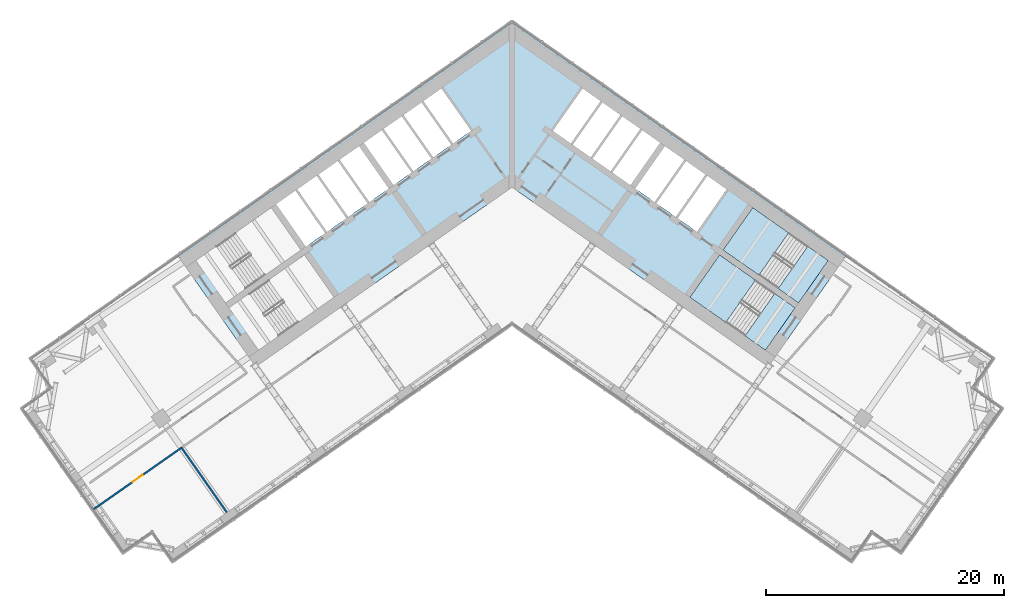
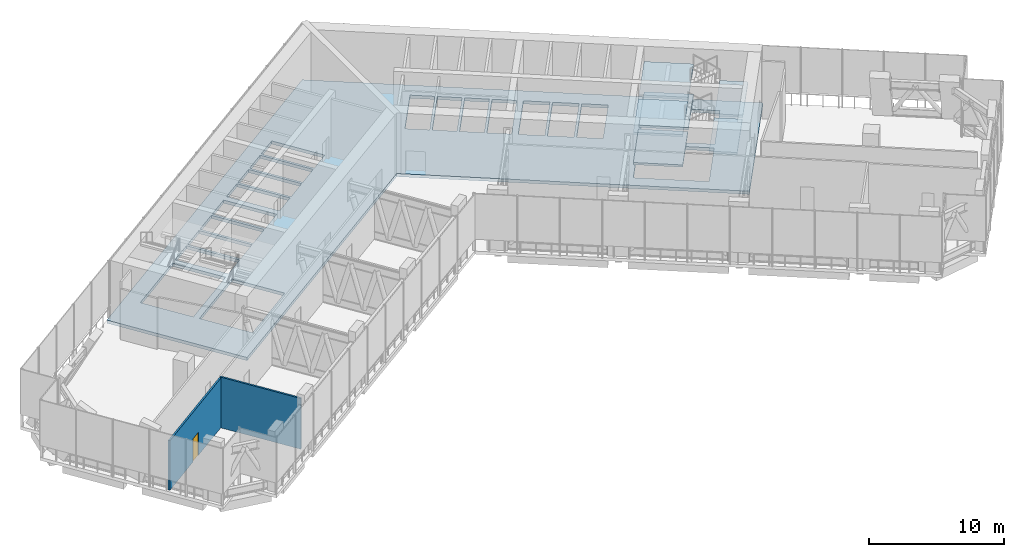
# One storey, part 4 of 24: 7 slabs, 2 walls, 1 door, 1 opening, 2 elements without a shape of their own.
"""IFC4 building model written with IfcOpenShell, lengths in metres."""

from ifc_helpers import new_model, si_unit, direction, frame, frame_2d, origin, place, context, subcontext, project, spatial, polyline, rectangle, outline, extrude, material, layer, layer_set, type_object, element, fill, aggregate, save


model = new_model("IFC4")

# Units and contexts
model_context = context("Model", 3, precision=1e-05, world=origin(), true_north=direction((0.0, 1.0)))
body_context = subcontext(model_context, "Body", "Model", "MODEL_VIEW")
ifc_project = project(units=[si_unit("LENGTHUNIT", "METRE"), si_unit("AREAUNIT", "SQUARE_METRE"), si_unit("VOLUMEUNIT", "CUBIC_METRE"), si_unit("PLANEANGLEUNIT", "RADIAN"), si_unit("MASSUNIT", "GRAM", prefix="KILO")], contexts=[model_context])

# Site, building, storey
site_placement = place(None, origin())
site = spatial("IfcSite", under=ifc_project, at=site_placement, CompositionType="ELEMENT")
building_placement = place(site_placement, origin())
building = spatial("IfcBuilding", under=site, at=building_placement, Name="Tel Ilan Convention Tower", CompositionType="ELEMENT")
storey_placement = place(building_placement, frame((0.0, 0.0, 126.5)))
storey = spatial("IfcBuildingStorey", under=building, at=storey_placement, Name="L28", CompositionType="ELEMENT", Elevation=126.5)

# Stair, slabs
ifc_material_1 = material(Name="Concrete C40/50", Category="concrete")
stair_type = type_object("IfcStairType", Name="Pressurised Exit Stair 32 risers 172 mm", PredefinedType="HALF_TURN_STAIR", material=ifc_material_1)
stair_1_placement = place(storey_placement, origin())
stair_1 = element("IfcStair", 1, at=stair_1_placement, inside=storey, type_object=stair_type, Name="L28 Pressurised Stair S3", PredefinedType="HALF_TURN_STAIR")
ifc_material_2 = material(Name="Concrete C40/50", Category="concrete")
ifc_layer_1 = layer(ifc_material_2, 0.199951171875)
ifc_layer_set_1 = layer_set([ifc_layer_1], Name="Concrete Stair Landing 200 mm C40/50")
slab_type_1 = type_object("IfcSlabType", Name="Concrete Stair Landing 200 mm", PredefinedType="LANDING", material=ifc_layer_set_1)
slab_1_placement = place(storey_placement, frame((0.0, 0.0, 1.175048828125)))
slab_1 = element("IfcSlab", 2, at=slab_1_placement, type_object=slab_type_1, Name="S3 landing 1", PredefinedType="LANDING", context=body_context, shape_type="SweptSolid", body=[
    extrude(outline(polyline([(23.249755859375, -5.048583984375), (20.226318359375, -2.931640625), (17.7314453125, -6.494873046875), (20.754638671875, -8.61181640625), (23.249755859375, -5.048583984375)])), origin(), (0.0, 0.0, 1.0), 0.199951171875),
])
slab_2_placement = place(storey_placement, frame((0.0, 0.0, 2.550048828125)))
slab_2 = element("IfcSlab", 3, at=slab_2_placement, type_object=slab_type_1, Name="S3 landing 2", PredefinedType="LANDING", context=body_context, shape_type="SweptSolid", body=[
    extrude(outline(polyline([(26.574951171875, -7.376708984375), (24.85400390625, -6.171875), (22.35888671875, -9.735107421875), (24.079833984375, -10.940185546875), (26.574951171875, -7.376708984375)])), origin(), (0.0, 0.0, 1.0), 0.199951171875),
])
slab_3_placement = place(storey_placement, frame((0.0, 0.0, 3.925048828125)))
slab_3 = element("IfcSlab", 4, at=slab_3_placement, type_object=slab_type_1, Name="S3 landing 3", PredefinedType="LANDING", context=body_context, shape_type="SweptSolid", body=[
    extrude(outline(polyline([(23.249755859375, -5.048583984375), (20.226318359375, -2.931640625), (17.7314453125, -6.494873046875), (20.754638671875, -8.61181640625), (23.249755859375, -5.048583984375)])), origin(), (0.0, 0.0, 1.0), 0.199951171875),
])
aggregate(stair_1, [slab_1, slab_2, slab_3])

stair_2_placement = place(storey_placement, origin())
stair_2 = element("IfcStair", 5, at=stair_2_placement, inside=storey, type_object=stair_type, Name="L28 Pressurised Stair S4", PredefinedType="HALF_TURN_STAIR")
slab_4_placement = place(storey_placement, frame((0.0, 0.0, 1.175048828125)))
slab_4 = element("IfcSlab", 6, at=slab_4_placement, type_object=slab_type_1, Name="S4 landing 1", PredefinedType="LANDING", context=body_context, shape_type="SweptSolid", body=[
    extrude(outline(polyline([(20.468017578125, -9.021484375), (17.444580078125, -6.904541015625), (14.949462890625, -10.4677734375), (17.972900390625, -12.584716796875), (20.468017578125, -9.021484375)])), origin(), (0.0, 0.0, 1.0), 0.199951171875),
])
slab_5_placement = place(storey_placement, frame((0.0, 0.0, 2.550048828125)))
slab_5 = element("IfcSlab", 7, at=slab_5_placement, type_object=slab_type_1, Name="S4 landing 2", PredefinedType="LANDING", context=body_context, shape_type="SweptSolid", body=[
    extrude(outline(polyline([(23.79296875, -11.349609375), (22.072021484375, -10.144775390625), (19.5771484375, -13.7080078125), (21.2978515625, -14.9130859375), (23.79296875, -11.349609375)])), origin(), (0.0, 0.0, 1.0), 0.199951171875),
])
slab_6_placement = place(storey_placement, frame((0.0, 0.0, 3.925048828125)))
slab_6 = element("IfcSlab", 8, at=slab_6_placement, type_object=slab_type_1, Name="S4 landing 3", PredefinedType="LANDING", context=body_context, shape_type="SweptSolid", body=[
    extrude(outline(polyline([(20.468017578125, -9.021484375), (17.444580078125, -6.904541015625), (14.949462890625, -10.4677734375), (17.972900390625, -12.584716796875), (20.468017578125, -9.021484375)])), origin(), (0.0, 0.0, 1.0), 0.199951171875),
])
aggregate(stair_2, [slab_4, slab_5, slab_6])

# Slab
ifc_material_3 = material(Name="Concrete C40/50", Category="concrete")
ifc_layer_2 = layer(ifc_material_3, 0.280029296875)
ifc_layer_set_2 = layer_set([ifc_layer_2], Name="Core Floor Slab 280 mm C40/50")
slab_type_2 = type_object("IfcSlabType", Name="Core Floor Slab 280 mm C40/50", PredefinedType="FLOOR", material=ifc_layer_set_2)
slab_7_placement = place(storey_placement, frame((0.0, 0.0, -0.280029296875)))
element("IfcSlab", 9, at=slab_7_placement, inside=storey, type_object=slab_type_2, Name="L28 core floor 1", PredefinedType="FLOOR", context=body_context, shape_type="SweptSolid", body=[
    extrude(outline(polyline([(28.1396484375, -6.885498046875), (21.54345703125, -16.3056640625), (0.0, -1.220703125), (-21.54345703125, -16.3056640625), (-28.1396484375, -6.885498046875), (0.0, 12.818115234375), (28.1396484375, -6.885498046875)]), holes=[polyline([(-14.949462890625, -10.4677734375), (-17.444580078125, -6.904541015625), (-22.072021484375, -10.144775390625), (-19.5771484375, -13.7080078125), (-14.949462890625, -10.4677734375)]), polyline([(-17.7314453125, -6.494873046875), (-20.226318359375, -2.931640625), (-24.85400390625, -6.171875), (-22.35888671875, -9.735107421875), (-17.7314453125, -6.494873046875)]), polyline([(-18.198974609375, -1.511962890625), (-19.81689453125, -2.644775390625), (-17.32177734375, -6.2080078125), (-15.7041015625, -5.0751953125), (-18.198974609375, -1.511962890625)]), polyline([(-16.41748046875, -0.264404296875), (-18.03515625, -1.397216796875), (-15.5400390625, -4.960693359375), (-13.92236328125, -3.827880859375), (-16.41748046875, -0.264404296875)]), polyline([(-14.6357421875, 0.983154296875), (-16.25341796875, -0.149658203125), (-13.758544921875, -3.712890625), (-12.140625, -2.580078125), (-14.6357421875, 0.983154296875)]), polyline([(-12.85400390625, 2.230712890625), (-14.471923828125, 1.097900390625), (-11.976806640625, -2.465576171875), (-10.35888671875, -1.332763671875), (-12.85400390625, 2.230712890625)]), polyline([(-10.939208984375, 3.5712890625), (-12.444580078125, 2.517333984375), (-9.949462890625, -1.0458984375), (-8.444091796875, 0.008056640625), (-10.939208984375, 3.5712890625)]), polyline([(-6.775146484375, 1.1767578125), (-9.270263671875, 4.739990234375), (-10.775390625, 3.68603515625), (-8.280517578125, 0.122802734375), (-6.775146484375, 1.1767578125)]), polyline([(-5.106201171875, 2.345458984375), (-7.601318359375, 5.90869140625), (-9.1064453125, 4.854736328125), (-6.611328125, 1.29150390625), (-5.106201171875, 2.345458984375)]), polyline([(-5.93212890625, 7.077392578125), (-7.4375, 6.0234375), (-4.9423828125, 2.460205078125), (-3.437255859375, 3.513916015625), (-5.93212890625, 7.077392578125)]), polyline([(17.444580078125, -6.904541015625), (14.949462890625, -10.4677734375), (19.5771484375, -13.7080078125), (22.072021484375, -10.144775390625), (17.444580078125, -6.904541015625)]), polyline([(20.226318359375, -2.931640625), (17.7314453125, -6.494873046875), (22.35888671875, -9.735107421875), (24.85400390625, -6.171875), (20.226318359375, -2.931640625)]), polyline([(13.92236328125, -3.827880859375), (15.5400390625, -4.960693359375), (18.03515625, -1.397216796875), (16.41748046875, -0.264404296875), (13.92236328125, -3.827880859375)]), polyline([(12.140625, -2.580078125), (13.758544921875, -3.712890625), (16.25341796875, -0.149658203125), (14.6357421875, 0.983154296875), (12.140625, -2.580078125)]), polyline([(11.976806640625, -2.465576171875), (14.471923828125, 1.097900390625), (12.85400390625, 2.230712890625), (10.35888671875, -1.332763671875), (11.976806640625, -2.465576171875)]), polyline([(9.949462890625, -1.0458984375), (12.444580078125, 2.517333984375), (10.939208984375, 3.5712890625), (8.444091796875, 0.008056640625), (9.949462890625, -1.0458984375)]), polyline([(8.280517578125, 0.122802734375), (10.775390625, 3.68603515625), (9.270263671875, 4.739990234375), (6.775146484375, 1.1767578125), (8.280517578125, 0.122802734375)]), polyline([(5.106201171875, 2.345458984375), (6.611328125, 1.29150390625), (9.1064453125, 4.854736328125), (7.601318359375, 5.90869140625), (5.106201171875, 2.345458984375)]), polyline([(3.437255859375, 3.513916015625), (4.9423828125, 2.460205078125), (7.4375, 6.0234375), (5.93212890625, 7.077392578125), (3.437255859375, 3.513916015625)])]), origin(), (0.0, 0.0, 1.0), 0.280029296875),
])

# Wall, opening, door
ifc_material_4 = material(Name="Plasterboard on Steel Studs", Category="steel")
ifc_layer_3 = layer(ifc_material_4, 0.14990234375)
ifc_layer_set_3 = layer_set([ifc_layer_3], Name="Fire-rated Partition 150 EI 60")
wall_type = type_object("IfcWallType", Name="Fire-rated Partition 150 EI 60", PredefinedType="PARTITIONING", material=ifc_layer_set_3)
wall_1_placement = place(storey_placement, frame((-27.76708984375, -23.10498046875, 0.0), z_axis=(0.0, 0.0, 1.0), x_axis=(-0.81915291695, -0.57357519006, 0.0)))
wall_1 = element("IfcWall", 10, at=wall_1_placement, inside=storey, type_object=wall_type, Name="Partition 009", PredefinedType="PARTITIONING", context=body_context, shape_type="SweptSolid", body=[
    extrude(rectangle(XDim=9.001953125, YDim=0.14990234375, at=frame_2d((4.5009765625, 0.0))), origin(), (0.0, 0.0, 1.0), 4.5),
])
opening_placement = place(wall_1_placement, frame((4.0009765625, 0.0, 0.0)))
opening = element("IfcOpeningElement", 11, at=opening_placement, cuts=wall_1, Name="Opening L28-004", PredefinedType="OPENING", context=body_context, shape_type="SweptSolid", body=[
    extrude(rectangle(XDim=1.0, YDim=2.10009765625, at=frame_2d((0.5, 1.050048828125))), frame((0.0, 0.0849609375, 0.0), z_axis=(0.0, -1.0, 0.0), x_axis=(1.0, 0.0, 0.0)), (0.0, 0.0, 1.0), 0.169921875),
])
ifc_material_5 = material(Name="Timber Door Leaf in Steel Frame", Category="steel")
door_type = type_object("IfcDoorType", Name="Plant Room Fire Door 1000x2100", OperationType="NOTDEFINED", PredefinedType="DOOR", material=ifc_material_5)
door_placement = place(opening_placement, origin())
door = element("IfcDoor", 12, at=door_placement, inside=storey, type_object=door_type, Name="Door L28-004", OperationType="SINGLE_SWING_LEFT", OverallHeight=2.10009765625, OverallWidth=1.0, PredefinedType="DOOR", context=body_context, shape_type="SweptSolid", body=[
    extrude(rectangle(XDim=1.0, YDim=2.10009765625, at=frame_2d((0.5, 1.050048828125))), frame((0.0, 0.02490234375, 0.0), z_axis=(0.0, -1.0, 0.0), x_axis=(1.0, 0.0, 0.0)), (0.0, 0.0, 1.0), 0.050048828125),
])
fill(opening, door)

# Wall
wall_2_placement = place(storey_placement, frame((-23.9658203125, -28.537109375, 0.0), z_axis=(0.0, 0.0, 1.0), x_axis=(-0.57359826181, 0.819136761505, 0.0)))
element("IfcWall", 13, at=wall_2_placement, inside=storey, type_object=wall_type, Name="Partition 022", PredefinedType="PARTITIONING", context=body_context, shape_type="SweptSolid", body=[
    extrude(rectangle(XDim=6.630126953125, YDim=0.14990234375, at=frame_2d((3.31494140625, 0.0))), origin(), (0.0, 0.0, 1.0), 4.60009765625),
])

save(model, "model.ifc")
